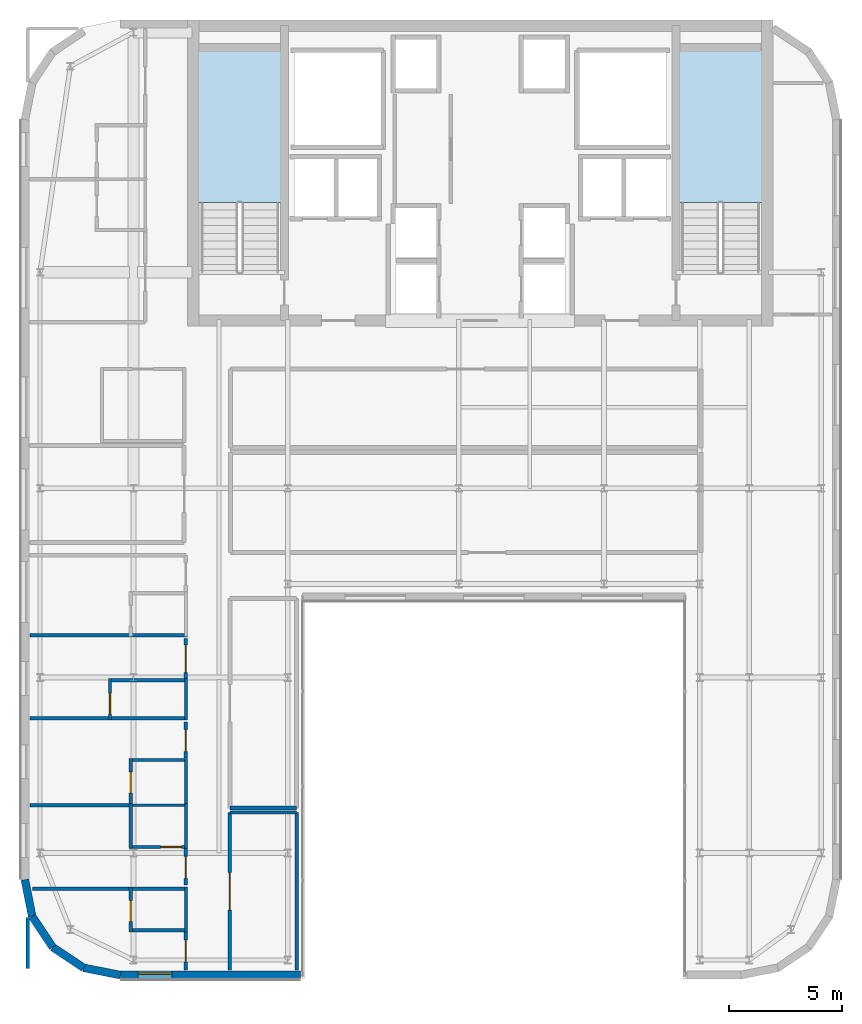
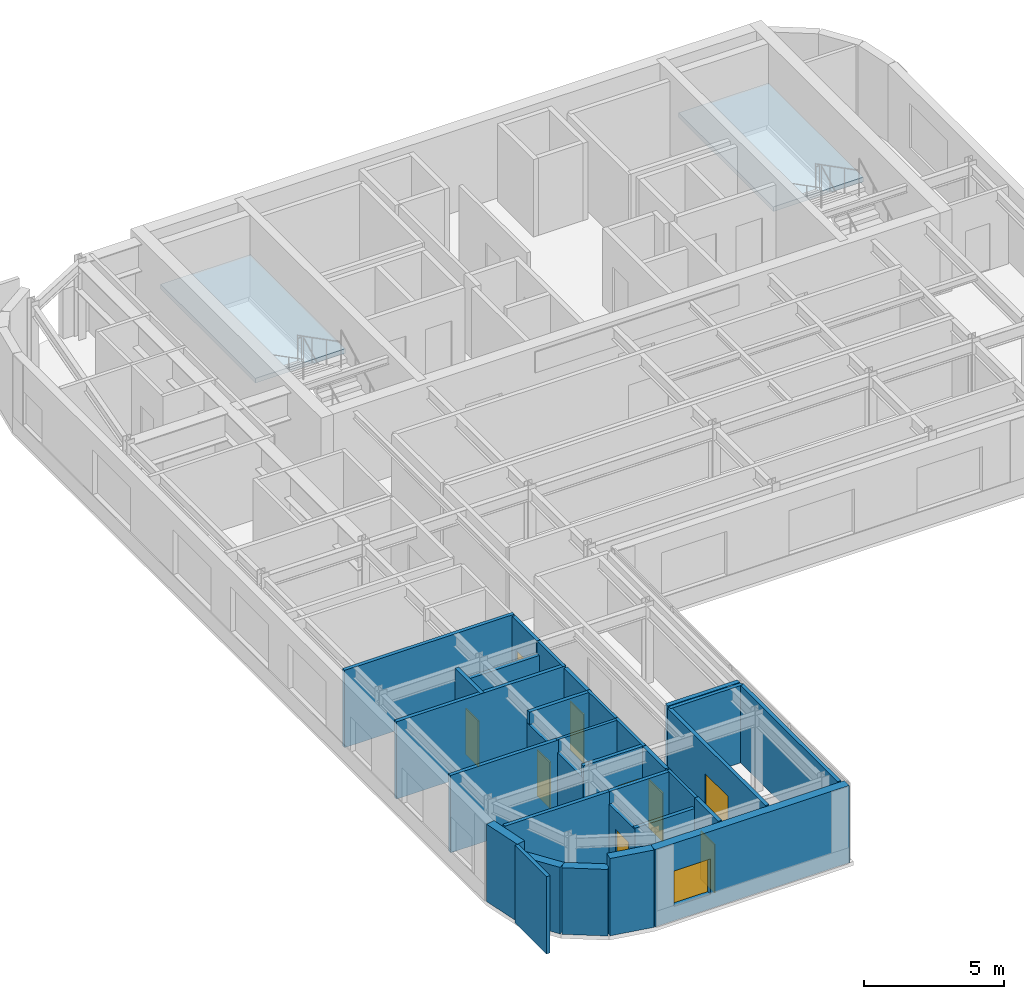
# One storey, part 13 of 21: 32 walls, 9 doors, 2 slabs, 1 window, 10 openings, 2 elements without a shape of their own.
"""IFC4 building model written with IfcOpenShell, lengths in metres."""

from ifc_helpers import new_model, si_unit, direction, frame, frame_2d, origin, place, context, subcontext, project, spatial, polyline, rectangle, outline, extrude, source, transform, mapped, material, layer, layer_set, type_object, type_shapes, element, fill, aggregate, save


model = new_model("IFC4")

# Units and contexts
model_context = context("Model", 3, precision=1e-05, world=origin(), true_north=direction((0.0, 1.0)))
body_context = subcontext(model_context, "Body", "Model", "MODEL_VIEW")
ifc_project = project(units=[si_unit("LENGTHUNIT", "METRE"), si_unit("AREAUNIT", "SQUARE_METRE"), si_unit("VOLUMEUNIT", "CUBIC_METRE"), si_unit("PLANEANGLEUNIT", "RADIAN"), si_unit("MASSUNIT", "GRAM", prefix="KILO")], contexts=[model_context])

# Site, building, storey
site_placement = place(None, origin())
site = spatial("IfcSite", under=ifc_project, at=site_placement, CompositionType="ELEMENT")
building_placement = place(site_placement, origin())
building = spatial("IfcBuilding", under=site, at=building_placement, Name="Tolvann Quenvar Hotel", CompositionType="ELEMENT")
storey_placement = place(building_placement, frame((0.0, 0.0, 262.949951171875)))
storey = spatial("IfcBuildingStorey", under=building, at=storey_placement, Name="L70", CompositionType="ELEMENT", Elevation=262.949951171875)

# Stair, slab
ifc_material_1 = material(Name="Concrete N40 (40 MPa)", Category="concrete")
stair_type = type_object("IfcStairType", Name="STAIR", PredefinedType="HALF_TURN_STAIR", material=ifc_material_1)
stair_1_placement = place(storey_placement, origin())
stair_1 = element("IfcStair", 1, at=stair_1_placement, inside=storey, type_object=stair_type, Name="L70 ST-C1", PredefinedType="HALF_TURN_STAIR")
ifc_layer_1 = layer(ifc_material_1, 0.199951171875)
ifc_layer_set_1 = layer_set([ifc_layer_1], Name="Concrete N40 (40 MPa)")
slab_type = type_object("IfcSlabType", Name="SLAB_LANDING", PredefinedType="LANDING", material=ifc_layer_set_1)
slab_1_placement = place(storey_placement, frame((0.0, 0.0, 1.574951171875)))
slab_1 = element("IfcSlab", 2, at=slab_1_placement, type_object=slab_type, Name="ST-C1 landing 1", PredefinedType="LANDING", context=body_context, shape_type="SweptSolid", body=[
    extrude(outline(polyline([(14.179931640625, 37.10498046875), (14.179931640625, 43.8798828125), (10.469970703125, 43.8798828125), (10.469970703125, 37.10498046875), (14.179931640625, 37.10498046875)])), origin(), (0.0, 0.0, 1.0), 0.2001953125),
])
aggregate(stair_1, [slab_1])

stair_2_placement = place(storey_placement, origin())
stair_2 = element("IfcStair", 3, at=stair_2_placement, inside=storey, type_object=stair_type, Name="L70 ST-C2", PredefinedType="HALF_TURN_STAIR")
slab_2_placement = place(storey_placement, frame((0.0, 0.0, 1.574951171875)))
slab_2 = element("IfcSlab", 4, at=slab_2_placement, type_object=slab_type, Name="ST-C2 landing 1", PredefinedType="LANDING", context=body_context, shape_type="SweptSolid", body=[
    extrude(outline(polyline([(35.530029296875, 37.10498046875), (35.530029296875, 43.8798828125), (31.820068359375, 43.8798828125), (31.820068359375, 37.10498046875), (35.530029296875, 37.10498046875)])), origin(), (0.0, 0.0, 1.0), 0.2001953125),
])
aggregate(stair_2, [slab_2])

# Walls
ifc_material_2 = material(Name="Kiln-fired red and buff architectural clay brickwork and terracotta masonry", Category="masonry")
ifc_layer_2 = layer(ifc_material_2, 0.35009765625)
ifc_layer_set_2 = layer_set([ifc_layer_2], Name="Kiln-fired red and buff architectural clay brickwork and terracotta masonry")
wall_type_1 = type_object("IfcWallType", Name="WALL_EXT_BRICK_350", PredefinedType="SOLIDWALL", material=ifc_layer_set_2)
for number, where, z_axis, x_axis, name in (
    (5, (3.099609375, 5.384521484375, 0.0), (0.0, 0.0, 1.0), (0.555623290322, -0.831434158098, 0.0), "Exterior Chicago Brick Wall L70-E01"),
    (6, (4.014892578125, 4.014892578125, 0.0), (0.0, 0.0, 1.0), (0.831434158098, -0.555623290322, 0.0), "Exterior Chicago Brick Wall L70-E02"),
):
    element("IfcWall", number, at=place(storey_placement, frame(where, z_axis=z_axis, x_axis=x_axis)), inside=storey, type_object=wall_type_1, Name=name, PredefinedType="SOLIDWALL", context=body_context, shape_type="SweptSolid", body=[
        extrude(rectangle(XDim=1.647216796875, YDim=0.35009765625, at=frame_2d((0.82373046875, 0.0))), origin(), (0.0, 0.0, 1.0), 2.900146484375),
    ])
wall_1_placement = place(storey_placement, frame((5.384521484375, 3.099609375, 0.0), z_axis=(0.0, 0.0, 1.0), x_axis=(0.980788844421, -0.195072403631, 0.0)))
element("IfcWall", 7, at=wall_1_placement, inside=storey, type_object=wall_type_1, Name="Exterior Chicago Brick Wall L70-E03", PredefinedType="SOLIDWALL", context=body_context, shape_type="SweptSolid", body=[
    extrude(rectangle(XDim=1.66455078125, YDim=0.35009765625, at=frame_2d((0.832275390625, 0.0))), origin(), (0.0, 0.0, 1.0), 3.3701171875),
])

# Wall, opening, window
wall_2_placement = place(storey_placement, frame((7.01708984375, 2.77490234375, 0.0), z_axis=(0.0, 0.0, 1.0), x_axis=(1.0, 0.0, 0.0)))
wall_2 = element("IfcWall", 8, at=wall_2_placement, inside=storey, type_object=wall_type_1, Name="Exterior Chicago Brick Wall L70-E04", PredefinedType="SOLIDWALL", context=body_context, shape_type="SweptSolid", body=[
    extrude(rectangle(XDim=8.0078125, YDim=0.35009765625, at=frame_2d((4.00390625, 0.0))), origin(), (0.0, 0.0, 1.0), 3.3701171875),
])
opening_1_placement = place(wall_2_placement, frame((0.791015625, 0.0, 0.6201171875)))
opening_1 = element("IfcOpeningElement", 9, at=opening_1_placement, cuts=wall_2, Name="Opening W-08", PredefinedType="OPENING", context=body_context, shape_type="SweptSolid", body=[
    extrude(rectangle(XDim=1.5, YDim=1.550048828125, at=frame_2d((0.75, 0.77490234375))), frame((0.0, 0.18505859375, 0.0), z_axis=(0.0, -1.0, 0.0), x_axis=(1.0, 0.0, 0.0)), (0.0, 0.0, 1.0), 0.3701171875),
])
ifc_material_3 = material(Name="Thermally broken bronze-anodised aluminium frame with double low-E glazing", Category="aluminium")
window_type = type_object("IfcWindowType", Name="WIN_COR_1500x2050", PartitioningType="SINGLE_PANEL", PredefinedType="WINDOW", material=ifc_material_3)
shared_shape_1 = source(origin(), body_context, "Body", "SweptSolid", [
    extrude(rectangle(XDim=1.5, YDim=1.550048828125, at=frame_2d((0.75, 0.77490234375))), frame((0.0, 0.090087890625, 0.0), z_axis=(0.0, -1.0, 0.0), x_axis=(1.0, 0.0, 0.0)), (0.0, 0.0, 1.0), 0.06005859375),
])
type_shapes(window_type, [shared_shape_1])
window_placement = place(opening_1_placement, origin())
window = element("IfcWindow", 10, at=window_placement, inside=storey, type_object=window_type, Name="Chicago Window W-08 (EW-L70-E04-WD01)", OverallHeight=1.550048828125, OverallWidth=1.5, PartitioningType="SINGLE_PANEL", PredefinedType="WINDOW", context=body_context, shape_type="MappedRepresentation", body=[
    mapped(shared_shape_1, transform((0.0, 0.0, 0.0), x_axis=(1.0, 0.0, 0.0), y_axis=(0.0, 1.0, 0.0), z_axis=(0.0, 0.0, 1.0), scale=1.0)),
])
fill(opening_1, window)

# Walls
wall_3_placement = place(storey_placement, frame((2.77490234375, 7.01708984375, 0.0), z_axis=(0.0, 0.0, 1.0), x_axis=(0.195072403631, -0.980788844421, 0.0)))
element("IfcWall", 11, at=wall_3_placement, inside=storey, type_object=wall_type_1, Name="Exterior Chicago Brick Wall L70-E24", PredefinedType="SOLIDWALL", context=body_context, shape_type="SweptSolid", body=[
    extrude(rectangle(XDim=1.66455078125, YDim=0.35009765625, at=frame_2d((0.832275390625, 0.0))), origin(), (0.0, 0.0, 1.0), 3.3701171875),
])
ifc_material_4 = material(Name="Acoustic twin-stud fire-rated gypsum plasterboard partition")
ifc_layer_3 = layer(ifc_material_4, 0.179931640625)
ifc_layer_set_3 = layer_set([ifc_layer_3], Name="Acoustic twin-stud fire-rated gypsum plasterboard partition")
wall_type_2 = type_object("IfcWallType", Name="WALL_PART_ACOUSTIC_180", PredefinedType="PARTITIONING", material=ifc_layer_set_3)
wall_4_placement = place(storey_placement, frame((11.8798828125, 10.199951171875, 0.0), z_axis=(0.0, 0.0, 1.0), x_axis=(1.0, 0.0, 0.0)))
element("IfcWall", 12, at=wall_4_placement, inside=storey, type_object=wall_type_2, Name="Interior Partition PT-SPC-L70-POVL-S", PredefinedType="PARTITIONING", context=body_context, shape_type="SweptSolid", body=[
    extrude(rectangle(XDim=2.97021484375, YDim=0.179931640625, at=frame_2d((1.485107421875, 0.0))), origin(), (0.0, 0.0, 1.0), 3.3701171875),
])
ifc_material_5 = material(Name="Moisture-resistant acoustic plumbing wall assembly")
ifc_layer_4 = layer(ifc_material_5, 0.1201171875)
ifc_layer_set_4 = layer_set([ifc_layer_4], Name="Moisture-resistant acoustic plumbing wall assembly")
wall_type_3 = type_object("IfcWallType", Name="WALL_PART_BATH_120", PredefinedType="PLUMBINGWALL", material=ifc_layer_set_4)
wall_5_placement = place(storey_placement, frame((9.929931640625, 4.699951171875, 0.0), z_axis=(0.0, 0.0, 1.0), x_axis=(0.0, 1.0, 0.0)))
element("IfcWall", 13, at=wall_5_placement, inside=storey, type_object=wall_type_3, Name="Non-Rated Plumbing Partition PT-SPC-L70-ENS-PW01-E", PredefinedType="PLUMBINGWALL", context=body_context, shape_type="SweptSolid", body=[
    extrude(rectangle(XDim=1.989990234375, YDim=0.1201171875, at=frame_2d((0.9951171875, 0.0))), origin(), (0.0, 0.0, 1.0), 3.3701171875),
])
wall_6_placement = place(storey_placement, frame((7.409912109375, 10.320068359375, 0.0), z_axis=(0.0, 0.0, 1.0), x_axis=(1.0, 0.0, 0.0)))
element("IfcWall", 14, at=wall_6_placement, inside=storey, type_object=wall_type_3, Name="Non-Rated Plumbing Partition PT-SPC-L70-ENS-PW02-N", PredefinedType="PLUMBINGWALL", context=body_context, shape_type="SweptSolid", body=[
    extrude(rectangle(XDim=2.590087890625, YDim=0.1201171875, at=frame_2d((1.294921875, 0.0))), origin(), (0.0, 0.0, 1.0), 3.3701171875),
])
for number, where, z_axis, x_axis, name in (
    (15, (9.929931640625, 8.39990234375, 0.0), (0.0, 0.0, 1.0), (0.0, 1.0, 0.0), "Non-Rated Plumbing Partition PT-SPC-L70-ENS-PW02-E"),
    (16, (9.929931640625, 10.409912109375, 0.0), (0.0, 0.0, 1.0), (0.0, 1.0, 0.0), "Non-Rated Plumbing Partition PT-SPC-L70-ENS-PW03-E"),
):
    element("IfcWall", number, at=place(storey_placement, frame(where, z_axis=z_axis, x_axis=x_axis)), inside=storey, type_object=wall_type_3, Name=name, PredefinedType="PLUMBINGWALL", context=body_context, shape_type="SweptSolid", body=[
        extrude(rectangle(XDim=1.989990234375, YDim=0.1201171875, at=frame_2d((0.9951171875, 0.0))), origin(), (0.0, 0.0, 1.0), 3.3701171875),
    ])
wall_7_placement = place(storey_placement, frame((9.929931640625, 14.110107421875, 0.0), z_axis=(0.0, 0.0, 1.0), x_axis=(0.0, 1.0, 0.0)))
element("IfcWall", 17, at=wall_7_placement, inside=storey, type_object=wall_type_3, Name="Non-Rated Plumbing Partition PT-SPC-L70-ENS-PW04-E", PredefinedType="PLUMBINGWALL", context=body_context, shape_type="SweptSolid", body=[
    extrude(rectangle(XDim=1.8388671875, YDim=0.1201171875, at=frame_2d((0.91943359375, 0.0))), origin(), (0.0, 0.0, 1.0), 3.3701171875),
])

# Wall, opening, door
ifc_layer_5 = layer(ifc_material_4, 0.14990234375)
ifc_layer_set_5 = layer_set([ifc_layer_5], Name="Acoustic twin-stud fire-rated gypsum plasterboard partition")
wall_type_4 = type_object("IfcWallType", Name="WALL_PART_SUITE_150", PredefinedType="PARTITIONING", material=ifc_layer_set_5)
wall_8_placement = place(storey_placement, frame((7.47998046875, 4.699951171875, 0.0), z_axis=(0.0, 0.0, 1.0), x_axis=(0.0, 1.0, 0.0)))
wall_8 = element("IfcWall", 18, at=wall_8_placement, inside=storey, type_object=wall_type_4, Name="Interior Partition PT-SPC-L70-ENS-PW01-ENT", PredefinedType="PARTITIONING", context=body_context, shape_type="SweptSolid", body=[
    extrude(rectangle(XDim=1.989990234375, YDim=0.14990234375, at=frame_2d((0.9951171875, 0.0))), origin(), (0.0, 0.0, 1.0), 2.8271484375),
])
opening_2_placement = place(wall_8_placement, frame((0.465087890625, 0.0, 0.0)))
opening_2 = element("IfcOpeningElement", 19, at=opening_2_placement, cuts=wall_8, Name="Opening WD-01", PredefinedType="OPENING", context=body_context, shape_type="SweptSolid", body=[
    extrude(rectangle(XDim=0.919921875, YDim=2.010009765625, at=frame_2d((0.4599609375, 1.0048828125))), frame((0.0, 0.0849609375, 0.0), z_axis=(0.0, -1.0, 0.0), x_axis=(1.0, 0.0, 0.0)), (0.0, 0.0, 1.0), 0.169921875),
])
ifc_material_6 = material(Name="Solid-core American oak acoustic fire door leaf in steel frame", Category="steel")
door_type_1 = type_object("IfcDoorType", Name="DOOR_WC_920", OperationType="NOTDEFINED", PredefinedType="DOOR", material=ifc_material_6)
shared_shape_2 = source(origin(), body_context, "Body", "SweptSolid", [
    extrude(rectangle(XDim=0.919921875, YDim=2.010009765625, at=frame_2d((0.4599609375, 1.0048828125))), frame((0.0, 0.02490234375, 0.0), z_axis=(0.0, -1.0, 0.0), x_axis=(1.0, 0.0, 0.0)), (0.0, 0.0, 1.0), 0.050048828125),
])
type_shapes(door_type_1, [shared_shape_2])
door_1_placement = place(opening_2_placement, origin())
door_1 = element("IfcDoor", 20, at=door_1_placement, inside=storey, type_object=door_type_1, Name="Interior Door DOOR-SPC-L70-ENS-PW01", OperationType="SINGLE_SWING_RIGHT", OverallHeight=2.010009765625, OverallWidth=0.919921875, PredefinedType="DOOR", context=body_context, shape_type="MappedRepresentation", body=[
    mapped(shared_shape_2, transform((0.0, 0.0, 0.0), x_axis=(1.0, 0.0, 0.0), y_axis=(0.0, 1.0, 0.0), z_axis=(0.0, 0.0, 1.0), scale=1.0)),
])
fill(opening_2, door_1)

# Walls
wall_9_placement = place(storey_placement, frame((7.409912109375, 4.77001953125, 0.0), z_axis=(0.0, 0.0, 1.0), x_axis=(1.0, 0.0, 0.0)))
element("IfcWall", 21, at=wall_9_placement, inside=storey, type_object=wall_type_4, Name="Interior Partition PT-SPC-L70-ENS-PW01-S", PredefinedType="PARTITIONING", context=body_context, shape_type="SweptSolid", body=[
    extrude(rectangle(XDim=2.590087890625, YDim=0.14990234375, at=frame_2d((1.294921875, 0.0))), origin(), (0.0, 0.0, 1.0), 2.900146484375),
])
wall_10_placement = place(storey_placement, frame((7.409912109375, 6.6201171875, 0.0), z_axis=(0.0, 0.0, 1.0), x_axis=(1.0, 0.0, 0.0)))
element("IfcWall", 22, at=wall_10_placement, inside=storey, type_object=wall_type_4, Name="Interior Partition PT-SPC-L70-ENS-PW01-N", PredefinedType="PARTITIONING", context=body_context, shape_type="SweptSolid", body=[
    extrude(rectangle(XDim=2.590087890625, YDim=0.14990234375, at=frame_2d((1.294921875, 0.0))), origin(), (0.0, 0.0, 1.0), 3.3701171875),
])
wall_11_placement = place(storey_placement, frame((7.47998046875, 8.39990234375, 0.0), z_axis=(0.0, 0.0, 1.0), x_axis=(0.0, 1.0, 0.0)))
element("IfcWall", 23, at=wall_11_placement, inside=storey, type_object=wall_type_4, Name="Interior Partition PT-SPC-L70-ENS-PW02-ENT", PredefinedType="PARTITIONING", context=body_context, shape_type="SweptSolid", body=[
    extrude(rectangle(XDim=1.989990234375, YDim=0.14990234375, at=frame_2d((0.9951171875, 0.0))), origin(), (0.0, 0.0, 1.0), 2.8271484375),
])

# Wall, opening, door
wall_12_placement = place(storey_placement, frame((7.409912109375, 8.469970703125, 0.0), z_axis=(0.0, 0.0, 1.0), x_axis=(1.0, 0.0, 0.0)))
wall_12 = element("IfcWall", 24, at=wall_12_placement, inside=storey, type_object=wall_type_4, Name="Interior Partition PT-SPC-L70-ENS-PW02-S", PredefinedType="PARTITIONING", context=body_context, shape_type="SweptSolid", body=[
    extrude(rectangle(XDim=2.590087890625, YDim=0.14990234375, at=frame_2d((1.294921875, 0.0))), origin(), (0.0, 0.0, 1.0), 3.3701171875),
])
opening_3_placement = place(wall_12_placement, frame((1.39990234375, 0.0, 0.0)))
opening_3 = element("IfcOpeningElement", 25, at=opening_3_placement, cuts=wall_12, Name="Opening WD-01", PredefinedType="OPENING", context=body_context, shape_type="SweptSolid", body=[
    extrude(rectangle(XDim=0.919921875, YDim=2.010009765625, at=frame_2d((0.4599609375, 1.0048828125))), frame((0.0, 0.0849609375, 0.0), z_axis=(0.0, -1.0, 0.0), x_axis=(1.0, 0.0, 0.0)), (0.0, 0.0, 1.0), 0.169921875),
])
door_2_placement = place(opening_3_placement, origin())
door_2 = element("IfcDoor", 26, at=door_2_placement, inside=storey, type_object=door_type_1, Name="Interior Door DOOR-SPC-L70-ENS-PW02", OperationType="SINGLE_SWING_LEFT", OverallHeight=2.010009765625, OverallWidth=0.919921875, PredefinedType="DOOR", context=body_context, shape_type="MappedRepresentation", body=[
    mapped(shared_shape_2, transform((0.0, 0.0, 0.0), x_axis=(1.0, 0.0, 0.0), y_axis=(0.0, 1.0, 0.0), z_axis=(0.0, 0.0, 1.0), scale=1.0)),
])
fill(opening_3, door_2)

wall_13_placement = place(storey_placement, frame((7.47998046875, 10.409912109375, 0.0), z_axis=(0.0, 0.0, 1.0), x_axis=(0.0, 1.0, 0.0)))
wall_13 = element("IfcWall", 27, at=wall_13_placement, inside=storey, type_object=wall_type_4, Name="Interior Partition PT-SPC-L70-ENS-PW03-ENT", PredefinedType="PARTITIONING", context=body_context, shape_type="SweptSolid", body=[
    extrude(rectangle(XDim=1.989990234375, YDim=0.14990234375, at=frame_2d((0.9951171875, 0.0))), origin(), (0.0, 0.0, 1.0), 2.8271484375),
])
opening_4_placement = place(wall_13_placement, frame((0.465087890625, 0.0, 0.0)))
opening_4 = element("IfcOpeningElement", 28, at=opening_4_placement, cuts=wall_13, Name="Opening WD-01", PredefinedType="OPENING", context=body_context, shape_type="SweptSolid", body=[
    extrude(rectangle(XDim=0.919921875, YDim=2.010009765625, at=frame_2d((0.4599609375, 1.0048828125))), frame((0.0, 0.0849609375, 0.0), z_axis=(0.0, -1.0, 0.0), x_axis=(1.0, 0.0, 0.0)), (0.0, 0.0, 1.0), 0.169921875),
])
door_3_placement = place(opening_4_placement, origin())
door_3 = element("IfcDoor", 29, at=door_3_placement, inside=storey, type_object=door_type_1, Name="Interior Door DOOR-SPC-L70-ENS-PW03", OperationType="SINGLE_SWING_RIGHT", OverallHeight=2.010009765625, OverallWidth=0.919921875, PredefinedType="DOOR", context=body_context, shape_type="MappedRepresentation", body=[
    mapped(shared_shape_2, transform((0.0, 0.0, 0.0), x_axis=(1.0, 0.0, 0.0), y_axis=(0.0, 1.0, 0.0), z_axis=(0.0, 0.0, 1.0), scale=1.0)),
])
fill(opening_4, door_3)

# Wall
wall_14_placement = place(storey_placement, frame((7.409912109375, 12.330078125, 0.0), z_axis=(0.0, 0.0, 1.0), x_axis=(1.0, 0.0, 0.0)))
element("IfcWall", 30, at=wall_14_placement, inside=storey, type_object=wall_type_4, Name="Interior Partition PT-SPC-L70-ENS-PW03-N", PredefinedType="PARTITIONING", context=body_context, shape_type="SweptSolid", body=[
    extrude(rectangle(XDim=2.590087890625, YDim=0.14990234375, at=frame_2d((1.294921875, 0.0))), origin(), (0.0, 0.0, 1.0), 3.3701171875),
])

# Wall, opening, door
wall_15_placement = place(storey_placement, frame((6.555908203125, 14.110107421875, 0.0), z_axis=(0.0, 0.0, 1.0), x_axis=(0.0, 1.0, 0.0)))
wall_15 = element("IfcWall", 31, at=wall_15_placement, inside=storey, type_object=wall_type_4, Name="Interior Partition PT-SPC-L70-ENS-PW04-ENT", PredefinedType="PARTITIONING", context=body_context, shape_type="SweptSolid", body=[
    extrude(rectangle(XDim=1.8388671875, YDim=0.14990234375, at=frame_2d((0.91943359375, 0.0))), origin(), (0.0, 0.0, 1.0), 3.3701171875),
])
opening_5_placement = place(wall_15_placement, frame((0.27001953125, 0.0, 0.0)))
opening_5 = element("IfcOpeningElement", 32, at=opening_5_placement, cuts=wall_15, Name="Opening WD-01", PredefinedType="OPENING", context=body_context, shape_type="SweptSolid", body=[
    extrude(rectangle(XDim=0.919921875, YDim=2.010009765625, at=frame_2d((0.4599609375, 1.0048828125))), frame((0.0, 0.0849609375, 0.0), z_axis=(0.0, -1.0, 0.0), x_axis=(1.0, 0.0, 0.0)), (0.0, 0.0, 1.0), 0.169921875),
])
door_4_placement = place(opening_5_placement, origin())
door_4 = element("IfcDoor", 33, at=door_4_placement, inside=storey, type_object=door_type_1, Name="Interior Door DOOR-SPC-L70-ENS-PW04", OperationType="SINGLE_SWING_LEFT", OverallHeight=2.010009765625, OverallWidth=0.919921875, PredefinedType="DOOR", context=body_context, shape_type="MappedRepresentation", body=[
    mapped(shared_shape_2, transform((0.0, 0.0, 0.0), x_axis=(1.0, 0.0, 0.0), y_axis=(0.0, 1.0, 0.0), z_axis=(0.0, 0.0, 1.0), scale=1.0)),
])
fill(opening_5, door_4)

# Walls
wall_16_placement = place(storey_placement, frame((3.0048828125, 14.179931640625, 0.0), z_axis=(0.0, 0.0, 1.0), x_axis=(1.0, 0.0, 0.0)))
element("IfcWall", 34, at=wall_16_placement, inside=storey, type_object=wall_type_4, Name="Interior Partition PT-SPC-L70-ENS-PW04-S", PredefinedType="PARTITIONING", context=body_context, shape_type="SweptSolid", body=[
    extrude(rectangle(XDim=6.9951171875, YDim=0.14990234375, at=frame_2d((3.49755859375, 0.0))), origin(), (0.0, 0.0, 1.0), 3.3701171875),
])
wall_17_placement = place(storey_placement, frame((6.486083984375, 15.87890625, 0.0), z_axis=(0.0, 0.0, 1.0), x_axis=(1.0, 0.0, 0.0)))
element("IfcWall", 35, at=wall_17_placement, inside=storey, type_object=wall_type_4, Name="Interior Partition PT-SPC-L70-ENS-PW04-N", PredefinedType="PARTITIONING", context=body_context, shape_type="SweptSolid", body=[
    extrude(rectangle(XDim=3.513916015625, YDim=0.14990234375, at=frame_2d((1.7568359375, 0.0))), origin(), (0.0, 0.0, 1.0), 2.8271484375),
])
wall_18_placement = place(storey_placement, frame((3.0048828125, 17.8798828125, 0.0), z_axis=(0.0, 0.0, 1.0), x_axis=(1.0, 0.0, 0.0)))
element("IfcWall", 36, at=wall_18_placement, inside=storey, type_object=wall_type_4, Name="Interior Partition PT-SPC-L70-ENS-PW05-S", PredefinedType="PARTITIONING", context=body_context, shape_type="SweptSolid", body=[
    extrude(rectangle(XDim=6.9951171875, YDim=0.14990234375, at=frame_2d((3.49755859375, 0.0))), origin(), (0.0, 0.0, 1.0), 3.3701171875),
])

# Wall, opening, door
wall_19_placement = place(storey_placement, frame((9.929931640625, 3.0048828125, 0.0), z_axis=(0.0, 0.0, 1.0), x_axis=(0.0, 1.0, 0.0)))
wall_19 = element("IfcWall", 37, at=wall_19_placement, inside=storey, type_object=wall_type_4, Name="Interior Partition PT-SPC-L70-RM-PW01-ENT", PredefinedType="PARTITIONING", context=body_context, shape_type="SweptSolid", body=[
    extrude(rectangle(XDim=1.68505859375, YDim=0.14990234375, at=frame_2d((0.842529296875, 0.0))), origin(), (0.0, 0.0, 1.0), 3.3701171875),
])
opening_6_placement = place(wall_19_placement, frame((0.360107421875, 0.0, 0.0)))
opening_6 = element("IfcOpeningElement", 38, at=opening_6_placement, cuts=wall_19, Name="Opening SD-01", PredefinedType="OPENING", context=body_context, shape_type="SweptSolid", body=[
    extrude(rectangle(XDim=0.97998046875, YDim=2.1201171875, at=frame_2d((0.489990234375, 1.06005859375))), frame((0.0, 0.0849609375, 0.0), z_axis=(0.0, -1.0, 0.0), x_axis=(1.0, 0.0, 0.0)), (0.0, 0.0, 1.0), 0.169921875),
])
door_type_2 = type_object("IfcDoorType", Name="DOOR_SUITE_980", OperationType="NOTDEFINED", PredefinedType="DOOR", material=ifc_material_6)
shared_shape_3 = source(origin(), body_context, "Body", "SweptSolid", [
    extrude(rectangle(XDim=0.97998046875, YDim=2.1201171875, at=frame_2d((0.489990234375, 1.06005859375))), frame((0.0, 0.02490234375, 0.0), z_axis=(0.0, -1.0, 0.0), x_axis=(1.0, 0.0, 0.0)), (0.0, 0.0, 1.0), 0.050048828125),
])
type_shapes(door_type_2, [shared_shape_3])
door_5_placement = place(opening_6_placement, origin())
door_5 = element("IfcDoor", 39, at=door_5_placement, inside=storey, type_object=door_type_2, Name="Interior Door DOOR-SPC-L70-RM-PW01", OperationType="SINGLE_SWING_RIGHT", OverallHeight=2.1201171875, OverallWidth=0.97998046875, PredefinedType="DOOR", context=body_context, shape_type="MappedRepresentation", body=[
    mapped(shared_shape_3, transform((0.0, 0.0, 0.0), x_axis=(1.0, 0.0, 0.0), y_axis=(0.0, 1.0, 0.0), z_axis=(0.0, 0.0, 1.0), scale=1.0)),
])
fill(opening_6, door_5)

# Walls
wall_20_placement = place(storey_placement, frame((3.112060546875, 6.6201171875, 0.0), z_axis=(0.0, 0.0, 1.0), x_axis=(1.0, 0.0, 0.0)))
element("IfcWall", 40, at=wall_20_placement, inside=storey, type_object=wall_type_4, Name="Interior Partition PT-SPC-L70-RM-PW01-E5", PredefinedType="PARTITIONING", context=body_context, shape_type="SweptSolid", body=[
    extrude(rectangle(XDim=4.347900390625, YDim=0.14990234375, at=frame_2d((2.173828125, 0.0))), origin(), (0.0, 0.0, 1.0), 3.3701171875),
])
wall_21_placement = place(storey_placement, frame((2.89990234375, 3.080078125, 0.0), z_axis=(0.0, 0.0, 1.0), x_axis=(0.0, 1.0, 0.0)))
element("IfcWall", 41, at=wall_21_placement, inside=storey, type_object=wall_type_4, Name="Interior Partition PT-SPC-L70-RM-PW01-E6", PredefinedType="PARTITIONING", context=body_context, shape_type="SweptSolid", body=[
    extrude(rectangle(XDim=2.264892578125, YDim=0.14990234375, at=frame_2d((1.13232421875, 0.0))), origin(), (0.0, 0.0, 1.0), 3.3701171875),
])

# Wall, opening, door
wall_22_placement = place(storey_placement, frame((9.929931640625, 6.780029296875, 0.0), z_axis=(0.0, 0.0, 1.0), x_axis=(0.0, 1.0, 0.0)))
wall_22 = element("IfcWall", 42, at=wall_22_placement, inside=storey, type_object=wall_type_4, Name="Interior Partition PT-SPC-L70-RM-PW02-ENT", PredefinedType="PARTITIONING", context=body_context, shape_type="SweptSolid", body=[
    extrude(rectangle(XDim=1.60986328125, YDim=0.14990234375, at=frame_2d((0.804931640625, 0.0))), origin(), (0.0, 0.0, 1.0), 3.3701171875),
])
opening_7_placement = place(wall_22_placement, frame((0.294921875, 0.0, 0.0)))
opening_7 = element("IfcOpeningElement", 43, at=opening_7_placement, cuts=wall_22, Name="Opening SD-01", PredefinedType="OPENING", context=body_context, shape_type="SweptSolid", body=[
    extrude(rectangle(XDim=0.97998046875, YDim=2.1201171875, at=frame_2d((0.489990234375, 1.06005859375))), frame((0.0, 0.0849609375, 0.0), z_axis=(0.0, -1.0, 0.0), x_axis=(1.0, 0.0, 0.0)), (0.0, 0.0, 1.0), 0.169921875),
])
door_6_placement = place(opening_7_placement, origin())
door_6 = element("IfcDoor", 44, at=door_6_placement, inside=storey, type_object=door_type_2, Name="Interior Door DOOR-SPC-L70-RM-PW02", OperationType="SINGLE_SWING_LEFT", OverallHeight=2.1201171875, OverallWidth=0.97998046875, PredefinedType="DOOR", context=body_context, shape_type="MappedRepresentation", body=[
    mapped(shared_shape_3, transform((0.0, 0.0, 0.0), x_axis=(1.0, 0.0, 0.0), y_axis=(0.0, 1.0, 0.0), z_axis=(0.0, 0.0, 1.0), scale=1.0)),
])
fill(opening_7, door_6)

# Wall
wall_23_placement = place(storey_placement, frame((3.0048828125, 10.320068359375, 0.0), z_axis=(0.0, 0.0, 1.0), x_axis=(1.0, 0.0, 0.0)))
element("IfcWall", 45, at=wall_23_placement, inside=storey, type_object=wall_type_4, Name="Interior Partition PT-SPC-L70-RM-PW02-E5", PredefinedType="PARTITIONING", context=body_context, shape_type="SweptSolid", body=[
    extrude(rectangle(XDim=4.455078125, YDim=0.14990234375, at=frame_2d((2.2275390625, 0.0))), origin(), (0.0, 0.0, 1.0), 3.3701171875),
])

# Wall, opening, door
wall_24_placement = place(storey_placement, frame((9.929931640625, 12.409912109375, 0.0), z_axis=(0.0, 0.0, 1.0), x_axis=(0.0, 1.0, 0.0)))
wall_24 = element("IfcWall", 46, at=wall_24_placement, inside=storey, type_object=wall_type_4, Name="Interior Partition PT-SPC-L70-RM-PW03-ENT", PredefinedType="PARTITIONING", context=body_context, shape_type="SweptSolid", body=[
    extrude(rectangle(XDim=1.610107421875, YDim=0.14990234375, at=frame_2d((0.80517578125, 0.0))), origin(), (0.0, 0.0, 1.0), 3.3701171875),
])
opening_8_placement = place(wall_24_placement, frame((0.294921875, 0.0, 0.0)))
opening_8 = element("IfcOpeningElement", 47, at=opening_8_placement, cuts=wall_24, Name="Opening SD-01", PredefinedType="OPENING", context=body_context, shape_type="SweptSolid", body=[
    extrude(rectangle(XDim=0.97998046875, YDim=2.1201171875, at=frame_2d((0.489990234375, 1.06005859375))), frame((0.0, 0.0849609375, 0.0), z_axis=(0.0, -1.0, 0.0), x_axis=(1.0, 0.0, 0.0)), (0.0, 0.0, 1.0), 0.169921875),
])
door_7_placement = place(opening_8_placement, origin())
door_7 = element("IfcDoor", 48, at=door_7_placement, inside=storey, type_object=door_type_2, Name="Interior Door DOOR-SPC-L70-RM-PW03", OperationType="SINGLE_SWING_RIGHT", OverallHeight=2.1201171875, OverallWidth=0.97998046875, PredefinedType="DOOR", context=body_context, shape_type="MappedRepresentation", body=[
    mapped(shared_shape_3, transform((0.0, 0.0, 0.0), x_axis=(1.0, 0.0, 0.0), y_axis=(0.0, 1.0, 0.0), z_axis=(0.0, 0.0, 1.0), scale=1.0)),
])
fill(opening_8, door_7)

wall_25_placement = place(storey_placement, frame((9.929931640625, 15.958984375, 0.0), z_axis=(0.0, 0.0, 1.0), x_axis=(0.0, 1.0, 0.0)))
wall_25 = element("IfcWall", 49, at=wall_25_placement, inside=storey, type_object=wall_type_4, Name="Interior Partition PT-SPC-L70-RM-PW04-ENT", PredefinedType="PARTITIONING", context=body_context, shape_type="SweptSolid", body=[
    extrude(rectangle(XDim=1.760986328125, YDim=0.14990234375, at=frame_2d((0.88037109375, 0.0))), origin(), (0.0, 0.0, 1.0), 3.3701171875),
])
opening_9_placement = place(wall_25_placement, frame((0.25048828125, 0.0, 0.0)))
opening_9 = element("IfcOpeningElement", 50, at=opening_9_placement, cuts=wall_25, Name="Opening SD-02", PredefinedType="OPENING", context=body_context, shape_type="SweptSolid", body=[
    extrude(rectangle(XDim=1.219970703125, YDim=2.080078125, at=frame_2d((0.60986328125, 1.0400390625))), frame((0.0, 0.0849609375, 0.0), z_axis=(0.0, -1.0, 0.0), x_axis=(1.0, 0.0, 0.0)), (0.0, 0.0, 1.0), 0.169921875),
])
door_type_3 = type_object("IfcDoorType", Name="DOOR_VIP_1220", OperationType="NOTDEFINED", PredefinedType="DOOR", material=ifc_material_6)
shared_shape_4 = source(origin(), body_context, "Body", "SweptSolid", [
    extrude(rectangle(XDim=1.219970703125, YDim=2.080078125, at=frame_2d((0.60986328125, 1.0400390625))), frame((0.0, 0.02490234375, 0.0), z_axis=(0.0, -1.0, 0.0), x_axis=(1.0, 0.0, 0.0)), (0.0, 0.0, 1.0), 0.050048828125),
])
type_shapes(door_type_3, [shared_shape_4])
door_8_placement = place(opening_9_placement, origin())
door_8 = element("IfcDoor", 51, at=door_8_placement, inside=storey, type_object=door_type_3, Name="Interior Door DOOR-SPC-L70-RM-PW04", OperationType="SINGLE_SWING_LEFT", OverallHeight=2.080078125, OverallWidth=1.219970703125, PredefinedType="DOOR", context=body_context, shape_type="MappedRepresentation", body=[
    mapped(shared_shape_4, transform((0.0, 0.0, 0.0), x_axis=(1.0, 0.0, 0.0), y_axis=(0.0, 1.0, 0.0), z_axis=(0.0, 0.0, 1.0), scale=1.0)),
])
fill(opening_9, door_8)

# Wall
wall_26_placement = place(storey_placement, frame((11.8798828125, 10.0, 0.0), z_axis=(0.0, 0.0, 1.0), x_axis=(1.0, 0.0, 0.0)))
element("IfcWall", 52, at=wall_26_placement, inside=storey, type_object=wall_type_4, Name="Interior Partition PT-SPC-L70-PSOUTH-N", PredefinedType="PARTITIONING", context=body_context, shape_type="SweptSolid", body=[
    extrude(rectangle(XDim=2.97021484375, YDim=0.14990234375, at=frame_2d((1.485107421875, 0.0))), origin(), (0.0, 0.0, 1.0), 3.3701171875),
])

# Wall, opening, door
wall_27_placement = place(storey_placement, frame((11.8798828125, 3.0048828125, 0.0), z_axis=(0.0, 0.0, 1.0), x_axis=(0.0, 1.0, 0.0)))
wall_27 = element("IfcWall", 53, at=wall_27_placement, inside=storey, type_object=wall_type_4, Name="Interior Partition PT-SPC-L70-PSOUTH-W", PredefinedType="PARTITIONING", context=body_context, shape_type="SweptSolid", body=[
    extrude(rectangle(XDim=6.9951171875, YDim=0.14990234375, at=frame_2d((3.49755859375, 0.0))), origin(), (0.0, 0.0, 1.0), 3.3701171875),
])
opening_10_placement = place(wall_27_placement, frame((2.672607421875, 0.0, 0.0)))
opening_10 = element("IfcOpeningElement", 54, at=opening_10_placement, cuts=wall_27, Name="Opening AD-01", PredefinedType="OPENING", context=body_context, shape_type="SweptSolid", body=[
    extrude(rectangle(XDim=1.64990234375, YDim=2.14990234375, at=frame_2d((0.824951171875, 1.074951171875))), frame((0.0, 0.0849609375, 0.0), z_axis=(0.0, -1.0, 0.0), x_axis=(1.0, 0.0, 0.0)), (0.0, 0.0, 1.0), 0.169921875),
])
door_type_4 = type_object("IfcDoorType", Name="DOOR_SALON_1650", OperationType="NOTDEFINED", PredefinedType="DOOR", material=ifc_material_6)
shared_shape_5 = source(origin(), body_context, "Body", "SweptSolid", [
    extrude(rectangle(XDim=1.64990234375, YDim=2.14990234375, at=frame_2d((0.824951171875, 1.074951171875))), frame((0.0, 0.02490234375, 0.0), z_axis=(0.0, -1.0, 0.0), x_axis=(1.0, 0.0, 0.0)), (0.0, 0.0, 1.0), 0.050048828125),
])
type_shapes(door_type_4, [shared_shape_5])
door_9_placement = place(opening_10_placement, origin())
door_9 = element("IfcDoor", 55, at=door_9_placement, inside=storey, type_object=door_type_4, Name="Interior Door DOOR-SPC-L70-PSOUTH", OperationType="DOUBLE_DOOR_SINGLE_SWING", OverallHeight=2.14990234375, OverallWidth=1.64990234375, PredefinedType="DOOR", context=body_context, shape_type="MappedRepresentation", body=[
    mapped(shared_shape_5, transform((0.0, 0.0, 0.0), x_axis=(1.0, 0.0, 0.0), y_axis=(0.0, 1.0, 0.0), z_axis=(0.0, 0.0, 1.0), scale=1.0)),
])
fill(opening_10, door_9)

# Wall
wall_28_placement = place(storey_placement, frame((14.85009765625, 3.0048828125, 0.0), z_axis=(0.0, 0.0, 1.0), x_axis=(0.0, 1.0, 0.0)))
element("IfcWall", 56, at=wall_28_placement, inside=storey, type_object=wall_type_4, Name="Interior Partition PT-SPC-L70-PSOUTH-E", PredefinedType="PARTITIONING", context=body_context, shape_type="SweptSolid", body=[
    extrude(rectangle(XDim=6.9951171875, YDim=0.14990234375, at=frame_2d((3.49755859375, 0.0))), origin(), (0.0, 0.0, 1.0), 3.3701171875),
])

save(model, "model.ifc")
